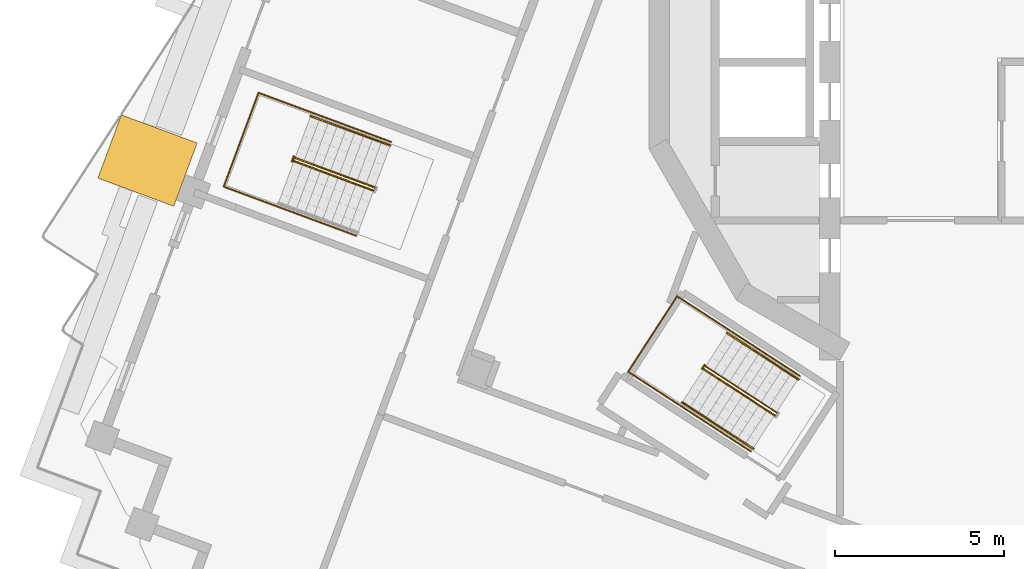
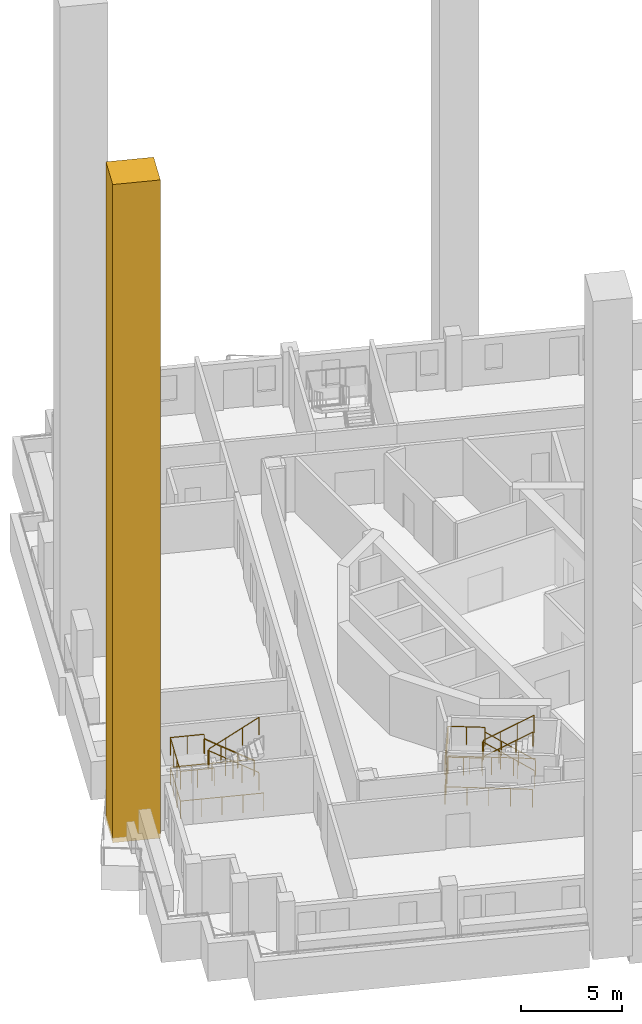
# One storey, part 13 of 20: 11 railings, 1 covering.
"""IFC4 building model written with IfcOpenShell, lengths in metres."""

from ifc_helpers import new_model, si_unit, direction, frame, origin, origin_2d, place, context, subcontext, project, spatial, rectangle, circle, extrude, material, type_object, element, save


model = new_model("IFC4")

# Units and contexts
model_context = context("Model", 3, precision=1e-05, world=origin(), true_north=direction((0.0, 1.0)))
body_context = subcontext(model_context, "Body", "Model", "MODEL_VIEW")
ifc_project = project(units=[si_unit("LENGTHUNIT", "METRE"), si_unit("AREAUNIT", "SQUARE_METRE"), si_unit("VOLUMEUNIT", "CUBIC_METRE"), si_unit("PLANEANGLEUNIT", "RADIAN"), si_unit("MASSUNIT", "GRAM", prefix="KILO")], contexts=[model_context])

# Site, building, storey
site_placement = place(None, origin())
site = spatial("IfcSite", under=ifc_project, at=site_placement, CompositionType="ELEMENT")
building_placement = place(site_placement, origin())
building = spatial("IfcBuilding", under=site, at=building_placement, Name="Cantera Rosa Tower", CompositionType="ELEMENT")
storey_placement = place(building_placement, frame((0.0, 0.0, 306.10009765625)))
storey = spatial("IfcBuildingStorey", under=building, at=storey_placement, Name="L67", CompositionType="ELEMENT", Elevation=306.10009765625)

# Railings
ifc_material_1 = material(Name="Steel S355J2 (EN 10025-2)", Category="steel")
railing_type_1 = type_object("IfcRailingType", Name="STAIR GUARD 1100", PredefinedType="GUARDRAIL", material=ifc_material_1)
railing_1_placement = place(storey_placement, frame((-17.802490234375, -3.721923828125, 0.179931640625)))
element("IfcRailing", 1, at=railing_1_placement, inside=storey, type_object=railing_type_1, Name="L67 ST-63 stair guard 1", PredefinedType="GUARDRAIL", context=body_context, shape_type="SweptSolid", body=[
    extrude(circle(Radius=0.02392578125, at=origin_2d()), frame((0.0, 0.0, 1.076171875), z_axis=(-0.78878233546, 0.292319685639, 0.540713998944), x_axis=(-0.347500508527, -0.937679794265, 0.0)), (0.0, 0.0, 1.0), 2.995849609375),
    extrude(circle(Radius=0.02392578125, at=origin_2d()), frame((-2.363037109375, 0.875732421875, 2.69580078125), z_axis=(-0.671593765389, 0.740919573429, 0.0), x_axis=(-0.740919573429, -0.671593765389, 0.0)), (0.0, 0.0, 1.0), 0.056396484375),
    extrude(circle(Radius=0.02392578125, at=origin_2d()), frame((-2.40087890625, 0.91748046875, 2.69580078125), z_axis=(-0.348268249601, -0.937394914814, 0.0), x_axis=(0.937394914814, -0.348268249601, 0.0)), (0.0, 0.0, 1.0), 0.14990234375),
    extrude(circle(Radius=0.02099609375, at=origin_2d()), origin(), (0.0, 0.0, 1.0), 1.052001953125),
    extrude(circle(Radius=0.02099609375, at=origin_2d()), frame((-0.78759765625, 0.2919921875, 0.5400390625)), (0.0, 0.0, 1.0), 1.052001953125),
    extrude(circle(Radius=0.02099609375, at=origin_2d()), frame((-1.575439453125, 0.583740234375, 1.079833984375)), (0.0, 0.0, 1.0), 1.052001953125),
    extrude(circle(Radius=0.02099609375, at=origin_2d()), frame((-2.363037109375, 0.875732421875, 1.619873046875)), (0.0, 0.0, 1.0), 1.052001953125),
    extrude(circle(Radius=0.02099609375, at=origin_2d()), frame((-2.40087890625, 0.91748046875, 1.619873046875)), (0.0, 0.0, 1.0), 1.052001953125),
    extrude(circle(Radius=0.02099609375, at=origin_2d()), frame((-2.453125, 0.77685546875, 1.619873046875)), (0.0, 0.0, 1.0), 1.052001953125),
])
railing_2_placement = place(storey_placement, frame((-20.19970703125, -2.93798828125, 1.97998046875)))
element("IfcRailing", 2, at=railing_2_placement, inside=storey, type_object=railing_type_1, Name="L67 ST-63 stair guard 2", PredefinedType="GUARDRAIL", context=body_context, shape_type="SweptSolid", body=[
    extrude(circle(Radius=0.02392578125, at=origin_2d()), frame((0.0, 0.0, 1.076171875), z_axis=(0.78878233546, -0.292319685639, 0.540713998944), x_axis=(0.347500508527, 0.937679794265, 0.0)), (0.0, 0.0, 1.0), 2.995849609375),
    extrude(circle(Radius=0.02099609375, at=origin_2d()), origin(), (0.0, 0.0, 1.0), 1.052001953125),
    extrude(circle(Radius=0.02099609375, at=origin_2d()), frame((0.78759765625, -0.2919921875, 0.5400390625)), (0.0, 0.0, 1.0), 1.052001953125),
    extrude(circle(Radius=0.02099609375, at=origin_2d()), frame((1.575439453125, -0.583740234375, 1.079833984375)), (0.0, 0.0, 1.0), 1.052001953125),
    extrude(circle(Radius=0.02099609375, at=origin_2d()), frame((2.363037109375, -0.875732421875, 1.619873046875)), (0.0, 0.0, 1.0), 1.052001953125),
])
railing_3_placement = place(storey_placement, frame((-17.31494140625, -2.37109375, 0.0)))
element("IfcRailing", 3, at=railing_3_placement, inside=storey, type_object=railing_type_1, Name="L67 ST-63 stair guard 4", PredefinedType="GUARDRAIL", context=body_context, shape_type="SweptSolid", body=[
    extrude(circle(Radius=0.02392578125, at=origin_2d()), frame((0.0, 0.0, 1.076171875), z_axis=(-0.937682096729, 0.3474942956, 0.0), x_axis=(-0.3474942956, -0.937682096729, 0.0)), (0.0, 0.0, 1.0), 4.197998046875),
    extrude(circle(Radius=0.02392578125, at=origin_2d()), frame((-3.936279296875, 1.458740234375, 1.076171875), z_axis=(-0.347472311651, -0.937690243436, 0.0), x_axis=(0.937690243436, -0.347472311651, 0.0)), (0.0, 0.0, 1.0), 2.969970703125),
    extrude(circle(Radius=0.02392578125, at=origin_2d()), frame((-4.96826171875, -1.326171875, 1.076171875), z_axis=(0.937682096729, -0.3474942956, 0.0), x_axis=(0.3474942956, 0.937682096729, 0.0)), (0.0, 0.0, 1.0), 4.197998046875),
    extrude(circle(Radius=0.02099609375, at=origin_2d()), origin(), (0.0, 0.0, 1.0), 1.052001953125),
    extrude(circle(Radius=0.02099609375, at=origin_2d()), frame((-0.984130859375, 0.36474609375, 0.0)), (0.0, 0.0, 1.0), 1.052001953125),
    extrude(circle(Radius=0.02099609375, at=origin_2d()), frame((-1.96826171875, 0.7294921875, 0.0)), (0.0, 0.0, 1.0), 1.052001953125),
    extrude(circle(Radius=0.02099609375, at=origin_2d()), frame((-2.9521484375, 1.093994140625, 0.0)), (0.0, 0.0, 1.0), 1.052001953125),
    extrude(circle(Radius=0.02099609375, at=origin_2d()), frame((-3.936279296875, 1.458740234375, 0.0)), (0.0, 0.0, 1.0), 1.052001953125),
    extrude(circle(Radius=0.02099609375, at=origin_2d()), frame((-4.2802734375, 0.530517578125, 0.0)), (0.0, 0.0, 1.0), 1.052001953125),
    extrude(circle(Radius=0.02099609375, at=origin_2d()), frame((-4.624267578125, -0.39794921875, 0.0)), (0.0, 0.0, 1.0), 1.052001953125),
    extrude(circle(Radius=0.02099609375, at=origin_2d()), frame((-4.96826171875, -1.326171875, 0.0)), (0.0, 0.0, 1.0), 1.052001953125),
    extrude(circle(Radius=0.02099609375, at=origin_2d()), frame((-3.984130859375, -1.69091796875, 0.0)), (0.0, 0.0, 1.0), 1.052001953125),
    extrude(circle(Radius=0.02099609375, at=origin_2d()), frame((-3.0, -2.0556640625, 0.0)), (0.0, 0.0, 1.0), 1.052001953125),
    extrude(circle(Radius=0.02099609375, at=origin_2d()), frame((-2.01611328125, -2.420166015625, 0.0)), (0.0, 0.0, 1.0), 1.052001953125),
    extrude(circle(Radius=0.02099609375, at=origin_2d()), frame((-1.031982421875, -2.784912109375, 0.0)), (0.0, 0.0, 1.0), 1.052001953125),
])
railing_4_placement = place(storey_placement, frame((-19.6552734375, -1.50390625, 1.7998046875)))
element("IfcRailing", 4, at=railing_4_placement, inside=storey, type_object=railing_type_1, Name="L67 ST-63 stair guard 5", PredefinedType="GUARDRAIL", context=body_context, shape_type="SweptSolid", body=[
    extrude(circle(Radius=0.02392578125, at=origin_2d()), frame((0.0, 0.0, 1.076171875), z_axis=(-0.937660486946, 0.347552602091, 0.0), x_axis=(-0.347552602091, -0.937660486946, 0.0)), (0.0, 0.0, 1.0), 1.7021484375),
    extrude(circle(Radius=0.02392578125, at=origin_2d()), frame((-1.595947265625, 0.591552734375, 1.076171875), z_axis=(-0.347472311651, -0.937690243436, 0.0), x_axis=(0.937690243436, -0.347472311651, 0.0)), (0.0, 0.0, 1.0), 2.969970703125),
    extrude(circle(Radius=0.02392578125, at=origin_2d()), frame((-2.6279296875, -2.193359375, 1.076171875), z_axis=(0.937660486946, -0.347552602091, 0.0), x_axis=(0.347552602091, 0.937660486946, 0.0)), (0.0, 0.0, 1.0), 1.7021484375),
    extrude(circle(Radius=0.02099609375, at=origin_2d()), origin(), (0.0, 0.0, 1.0), 1.052001953125),
    extrude(circle(Radius=0.02099609375, at=origin_2d()), frame((-0.7978515625, 0.2958984375, 0.0)), (0.0, 0.0, 1.0), 1.052001953125),
    extrude(circle(Radius=0.02099609375, at=origin_2d()), frame((-1.595947265625, 0.591552734375, 0.0)), (0.0, 0.0, 1.0), 1.052001953125),
    extrude(circle(Radius=0.02099609375, at=origin_2d()), frame((-1.93994140625, -0.336669921875, 0.0)), (0.0, 0.0, 1.0), 1.052001953125),
    extrude(circle(Radius=0.02099609375, at=origin_2d()), frame((-2.283935546875, -1.26513671875, 0.0)), (0.0, 0.0, 1.0), 1.052001953125),
    extrude(circle(Radius=0.02099609375, at=origin_2d()), frame((-2.6279296875, -2.193359375, 0.0)), (0.0, 0.0, 1.0), 1.052001953125),
    extrude(circle(Radius=0.02099609375, at=origin_2d()), frame((-1.830078125, -2.4892578125, 0.0)), (0.0, 0.0, 1.0), 1.052001953125),
    extrude(circle(Radius=0.02099609375, at=origin_2d()), frame((-1.031982421875, -2.784912109375, 0.0)), (0.0, 0.0, 1.0), 1.052001953125),
])
railing_5_placement = place(storey_placement, frame((-5.873291015625, -10.403076171875, 0.179931640625)))
element("IfcRailing", 5, at=railing_5_placement, inside=storey, type_object=railing_type_1, Name="L67 ST-64 stair guard 1", PredefinedType="GUARDRAIL", context=body_context, shape_type="SweptSolid", body=[
    extrude(circle(Radius=0.02392578125, at=origin_2d()), frame((0.0, 0.0, 1.076171875), z_axis=(-0.705493103535, 0.458158972863, 0.540712341684), x_axis=(-0.544644381691, -0.838667095749, 0.0)), (0.0, 0.0, 1.0), 2.995849609375),
    extrude(circle(Radius=0.02392578125, at=origin_2d()), frame((-2.113525390625, 1.37255859375, 2.69580078125), z_axis=(-0.49520304401, 0.868777270193, 0.0), x_axis=(-0.868777270193, -0.49520304401, 0.0)), (0.0, 0.0, 1.0), 0.05615234375),
    extrude(circle(Radius=0.02392578125, at=origin_2d()), frame((-2.141357421875, 1.42138671875, 2.69580078125), z_axis=(-0.544129121324, -0.839001489467, 0.0), x_axis=(0.839001489467, -0.544129121324, 0.0)), (0.0, 0.0, 1.0), 0.14990234375),
    extrude(circle(Radius=0.02099609375, at=origin_2d()), origin(), (0.0, 0.0, 1.0), 1.052001953125),
    extrude(circle(Radius=0.02099609375, at=origin_2d()), frame((-0.70458984375, 0.45751953125, 0.5400390625)), (0.0, 0.0, 1.0), 1.052001953125),
    extrude(circle(Radius=0.02099609375, at=origin_2d()), frame((-1.408935546875, 0.9150390625, 1.079833984375)), (0.0, 0.0, 1.0), 1.052001953125),
    extrude(circle(Radius=0.02099609375, at=origin_2d()), frame((-2.113525390625, 1.37255859375, 1.619873046875)), (0.0, 0.0, 1.0), 1.052001953125),
    extrude(circle(Radius=0.02099609375, at=origin_2d()), frame((-2.141357421875, 1.42138671875, 1.619873046875)), (0.0, 0.0, 1.0), 1.052001953125),
    extrude(circle(Radius=0.02099609375, at=origin_2d()), frame((-2.222900390625, 1.295654296875, 1.619873046875)), (0.0, 0.0, 1.0), 1.052001953125),
])
railing_6_placement = place(storey_placement, frame((-8.040283203125, -9.11279296875, 1.97998046875)))
element("IfcRailing", 6, at=railing_6_placement, inside=storey, type_object=railing_type_1, Name="L67 ST-64 stair guard 2", PredefinedType="GUARDRAIL", context=body_context, shape_type="SweptSolid", body=[
    extrude(circle(Radius=0.02392578125, at=origin_2d()), frame((0.0, 0.0, 1.076171875), z_axis=(0.705493103535, -0.458158972863, 0.540712341684), x_axis=(0.544644381691, 0.838667095749, 0.0)), (0.0, 0.0, 1.0), 2.995849609375),
    extrude(circle(Radius=0.02099609375, at=origin_2d()), origin(), (0.0, 0.0, 1.0), 1.052001953125),
    extrude(circle(Radius=0.02099609375, at=origin_2d()), frame((0.70458984375, -0.45751953125, 0.5400390625)), (0.0, 0.0, 1.0), 1.052001953125),
    extrude(circle(Radius=0.02099609375, at=origin_2d()), frame((1.408935546875, -0.9150390625, 1.079833984375)), (0.0, 0.0, 1.0), 1.052001953125),
    extrude(circle(Radius=0.02099609375, at=origin_2d()), frame((2.113525390625, -1.37255859375, 1.619873046875)), (0.0, 0.0, 1.0), 1.052001953125),
])
railing_7_placement = place(storey_placement, frame((-5.18310546875, -9.318115234375, 0.0)))
element("IfcRailing", 7, at=railing_7_placement, inside=storey, type_object=railing_type_1, Name="L67 ST-64 stair guard 4", PredefinedType="GUARDRAIL", context=body_context, shape_type="SweptSolid", body=[
    extrude(circle(Radius=0.02392578125, at=origin_2d()), frame((0.0, 0.0, 1.076171875), z_axis=(-0.838659072691, 0.544656735746, 0.0), x_axis=(-0.544656735746, -0.838659072691, 0.0)), (0.0, 0.0, 1.0), 4.347900390625),
    extrude(circle(Radius=0.02392578125, at=origin_2d()), frame((-3.646484375, 2.3681640625, 1.076171875), z_axis=(-0.544615466587, -0.838685872991, 0.0), x_axis=(0.838685872991, -0.544615466587, 0.0)), (0.0, 0.0, 1.0), 2.669921875),
    extrude(circle(Radius=0.02392578125, at=origin_2d()), frame((-5.1005859375, 0.12890625, 1.076171875), z_axis=(0.838659072691, -0.544656735746, 0.0), x_axis=(0.544656735746, 0.838659072691, 0.0)), (0.0, 0.0, 1.0), 4.347900390625),
    extrude(circle(Radius=0.02099609375, at=origin_2d()), origin(), (0.0, 0.0, 1.0), 1.052001953125),
    extrude(circle(Radius=0.02099609375, at=origin_2d()), frame((-0.91162109375, 0.592041015625, 0.0)), (0.0, 0.0, 1.0), 1.052001953125),
    extrude(circle(Radius=0.02099609375, at=origin_2d()), frame((-1.8232421875, 1.18408203125, 0.0)), (0.0, 0.0, 1.0), 1.052001953125),
    extrude(circle(Radius=0.02099609375, at=origin_2d()), frame((-2.73486328125, 1.776123046875, 0.0)), (0.0, 0.0, 1.0), 1.052001953125),
    extrude(circle(Radius=0.02099609375, at=origin_2d()), frame((-3.646484375, 2.3681640625, 0.0)), (0.0, 0.0, 1.0), 1.052001953125),
    extrude(circle(Radius=0.02099609375, at=origin_2d()), frame((-4.131103515625, 1.621826171875, 0.0)), (0.0, 0.0, 1.0), 1.052001953125),
    extrude(circle(Radius=0.02099609375, at=origin_2d()), frame((-4.615966796875, 0.875244140625, 0.0)), (0.0, 0.0, 1.0), 1.052001953125),
    extrude(circle(Radius=0.02099609375, at=origin_2d()), frame((-5.1005859375, 0.12890625, 0.0)), (0.0, 0.0, 1.0), 1.052001953125),
    extrude(circle(Radius=0.02099609375, at=origin_2d()), frame((-4.18896484375, -0.463134765625, 0.0)), (0.0, 0.0, 1.0), 1.052001953125),
    extrude(circle(Radius=0.02099609375, at=origin_2d()), frame((-3.27734375, -1.05517578125, 0.0)), (0.0, 0.0, 1.0), 1.052001953125),
    extrude(circle(Radius=0.02099609375, at=origin_2d()), frame((-2.36572265625, -1.647216796875, 0.0)), (0.0, 0.0, 1.0), 1.052001953125),
    extrude(circle(Radius=0.02099609375, at=origin_2d()), frame((-1.4541015625, -2.2392578125, 0.0)), (0.0, 0.0, 1.0), 1.052001953125),
])
railing_8_placement = place(storey_placement, frame((-7.2763671875, -7.95849609375, 1.7998046875)))
element("IfcRailing", 8, at=railing_8_placement, inside=storey, type_object=railing_type_1, Name="L67 ST-64 stair guard 5", PredefinedType="GUARDRAIL", context=body_context, shape_type="SweptSolid", body=[
    extrude(circle(Radius=0.02392578125, at=origin_2d()), frame((0.0, 0.0, 1.076171875), z_axis=(-0.838702547883, 0.544589787064, 0.0), x_axis=(-0.544589787064, -0.838702547883, 0.0)), (0.0, 0.0, 1.0), 1.85205078125),
    extrude(circle(Radius=0.02392578125, at=origin_2d()), frame((-1.55322265625, 1.008544921875, 1.076171875), z_axis=(-0.544615466587, -0.838685872991, 0.0), x_axis=(0.838685872991, -0.544615466587, 0.0)), (0.0, 0.0, 1.0), 2.669921875),
    extrude(circle(Radius=0.02392578125, at=origin_2d()), frame((-3.00732421875, -1.230712890625, 1.076171875), z_axis=(0.838702547883, -0.544589787064, 0.0), x_axis=(0.544589787064, 0.838702547883, 0.0)), (0.0, 0.0, 1.0), 1.85205078125),
    extrude(circle(Radius=0.02099609375, at=origin_2d()), origin(), (0.0, 0.0, 1.0), 1.052001953125),
    extrude(circle(Radius=0.02099609375, at=origin_2d()), frame((-0.776611328125, 0.50439453125, 0.0)), (0.0, 0.0, 1.0), 1.052001953125),
    extrude(circle(Radius=0.02099609375, at=origin_2d()), frame((-1.55322265625, 1.008544921875, 0.0)), (0.0, 0.0, 1.0), 1.052001953125),
    extrude(circle(Radius=0.02099609375, at=origin_2d()), frame((-2.037841796875, 0.26220703125, 0.0)), (0.0, 0.0, 1.0), 1.052001953125),
    extrude(circle(Radius=0.02099609375, at=origin_2d()), frame((-2.522705078125, -0.484375, 0.0)), (0.0, 0.0, 1.0), 1.052001953125),
    extrude(circle(Radius=0.02099609375, at=origin_2d()), frame((-3.00732421875, -1.230712890625, 0.0)), (0.0, 0.0, 1.0), 1.052001953125),
    extrude(circle(Radius=0.02099609375, at=origin_2d()), frame((-2.230712890625, -1.73486328125, 0.0)), (0.0, 0.0, 1.0), 1.052001953125),
    extrude(circle(Radius=0.02099609375, at=origin_2d()), frame((-1.4541015625, -2.2392578125, 0.0)), (0.0, 0.0, 1.0), 1.052001953125),
])
ifc_material_2 = material(Name="Steel S355J2 (EN 10025-2)", Category="steel")
railing_type_2 = type_object("IfcRailingType", Name="STAIR HANDRAIL 900", PredefinedType="HANDRAIL", material=ifc_material_2)
railing_9_placement = place(storey_placement, frame((-17.341796875, -2.478515625, 0.179931640625)))
element("IfcRailing", 9, at=railing_9_placement, inside=storey, type_object=railing_type_2, Name="L67 ST-63 stair handrail 1", PredefinedType="HANDRAIL", context=body_context, shape_type="SweptSolid", body=[
    extrude(circle(Radius=0.02392578125, at=origin_2d()), frame((0.0, 0.0, 0.8759765625), z_axis=(-0.78878233546, 0.292319685639, 0.540713998944), x_axis=(-0.347500508527, -0.937679794265, 0.0)), (0.0, 0.0, 1.0), 2.995849609375),
    extrude(circle(Radius=0.02099609375, at=origin_2d()), origin(), (0.0, 0.0, 1.0), 0.851806640625),
    extrude(circle(Radius=0.02099609375, at=origin_2d()), frame((-0.78759765625, 0.2919921875, 0.5400390625)), (0.0, 0.0, 1.0), 0.851806640625),
    extrude(circle(Radius=0.02099609375, at=origin_2d()), frame((-1.575439453125, 0.583740234375, 1.079833984375)), (0.0, 0.0, 1.0), 0.851806640625),
    extrude(circle(Radius=0.02099609375, at=origin_2d()), frame((-2.363037109375, 0.875732421875, 1.619873046875)), (0.0, 0.0, 1.0), 0.851806640625),
])
railing_10_placement = place(storey_placement, frame((-5.23291015625, -9.416748046875, 0.179931640625)))
element("IfcRailing", 10, at=railing_10_placement, inside=storey, type_object=railing_type_2, Name="L67 ST-64 stair handrail 1", PredefinedType="HANDRAIL", context=body_context, shape_type="SweptSolid", body=[
    extrude(circle(Radius=0.02392578125, at=origin_2d()), frame((0.0, 0.0, 0.8759765625), z_axis=(-0.705519443793, 0.458094581675, 0.540732529695), x_axis=(-0.544576236413, -0.838711346492, 0.0)), (0.0, 0.0, 1.0), 2.99560546875),
    extrude(circle(Radius=0.02099609375, at=origin_2d()), origin(), (0.0, 0.0, 1.0), 0.851806640625),
    extrude(circle(Radius=0.02099609375, at=origin_2d()), frame((-0.70458984375, 0.45751953125, 0.5400390625)), (0.0, 0.0, 1.0), 0.851806640625),
    extrude(circle(Radius=0.02099609375, at=origin_2d()), frame((-1.408935546875, 0.914794921875, 1.079833984375)), (0.0, 0.0, 1.0), 0.851806640625),
    extrude(circle(Radius=0.02099609375, at=origin_2d()), frame((-2.113525390625, 1.372314453125, 1.619873046875)), (0.0, 0.0, 1.0), 0.851806640625),
])
railing_11_placement = place(storey_placement, frame((-8.6806640625, -10.09912109375, 1.97998046875)))
element("IfcRailing", 11, at=railing_11_placement, inside=storey, type_object=railing_type_2, Name="L67 ST-64 stair handrail 2", PredefinedType="HANDRAIL", context=body_context, shape_type="SweptSolid", body=[
    extrude(circle(Radius=0.02392578125, at=origin_2d()), frame((0.0, 0.0, 0.8759765625), z_axis=(0.705493103535, -0.458158972863, 0.540712341684), x_axis=(0.544644381691, 0.838667095749, 0.0)), (0.0, 0.0, 1.0), 2.995849609375),
    extrude(circle(Radius=0.02099609375, at=origin_2d()), origin(), (0.0, 0.0, 1.0), 0.851806640625),
    extrude(circle(Radius=0.02099609375, at=origin_2d()), frame((0.70458984375, -0.45751953125, 0.5400390625)), (0.0, 0.0, 1.0), 0.851806640625),
    extrude(circle(Radius=0.02099609375, at=origin_2d()), frame((1.408935546875, -0.9150390625, 1.079833984375)), (0.0, 0.0, 1.0), 0.851806640625),
    extrude(circle(Radius=0.02099609375, at=origin_2d()), frame((2.113525390625, -1.37255859375, 1.619873046875)), (0.0, 0.0, 1.0), 0.851806640625),
])

# Covering
ifc_material_3 = material(Name="Cantera stone", Category="masonry")
covering_type = type_object("IfcCoveringType", Name="STONE FIN 2000x2400", PredefinedType="CLADDING", material=ifc_material_3)
covering_placement = place(storey_placement, frame((-24.545166015625, -2.923095703125, -0.300048828125), z_axis=(0.0, 0.0, 1.0), x_axis=(-0.347481234489, -0.937686936924, 0.0)))
element("IfcCovering", 12, at=covering_placement, inside=storey, type_object=covering_type, Name="STONE FIN FN-Z6-03", PredefinedType="CLADDING", context=body_context, shape_type="SweptSolid", body=[
    extrude(rectangle(XDim=2.0, YDim=2.39990234375, at=origin_2d()), origin(), (0.0, 0.0, 1.0), 39.89990234375),
])

save(model, "model.ifc")
